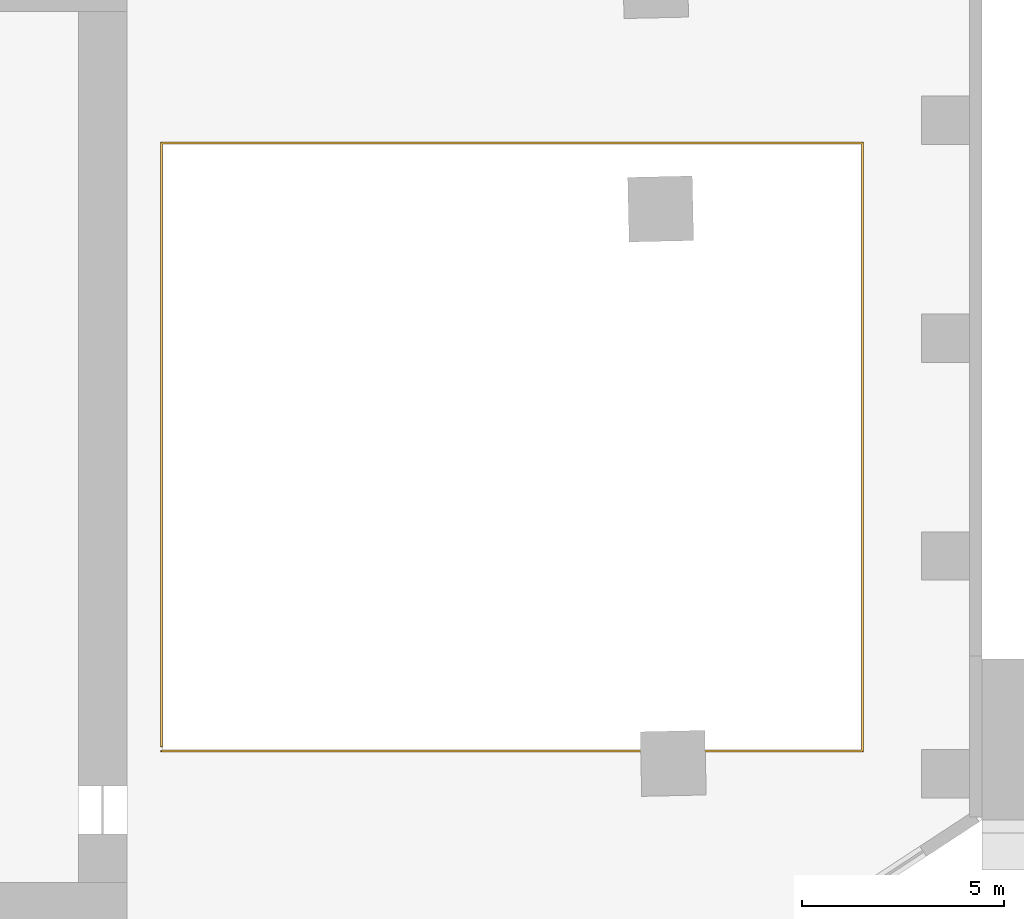
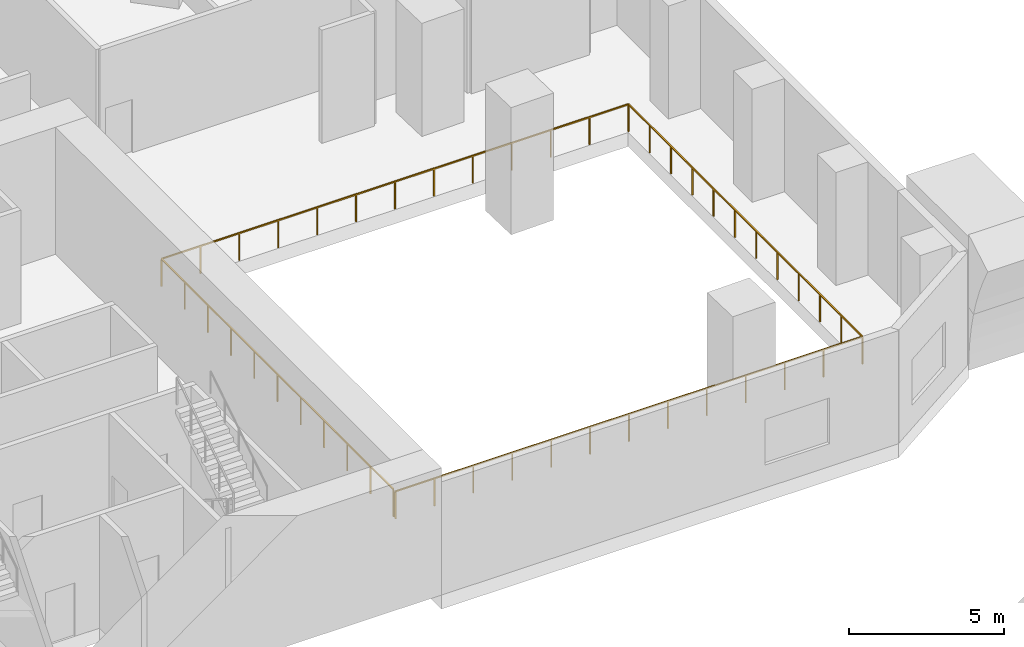
# One storey, part 12 of 12: 1 railing.
"""IFC4 building model written with IfcOpenShell, lengths in metres."""

from ifc_helpers import new_model, si_unit, direction, frame, origin, origin_2d, place, context, subcontext, project, spatial, rectangle, extrude, material, type_object, element, save


model = new_model("IFC4")

# Units and contexts
model_context = context("Model", 3, precision=1e-05, world=origin(), true_north=direction((0.0, 1.0)))
body_context = subcontext(model_context, "Body", "Model", "MODEL_VIEW")
ifc_project = project(units=[si_unit("LENGTHUNIT", "METRE"), si_unit("AREAUNIT", "SQUARE_METRE"), si_unit("VOLUMEUNIT", "CUBIC_METRE"), si_unit("PLANEANGLEUNIT", "RADIAN"), si_unit("MASSUNIT", "GRAM", prefix="KILO")], contexts=[model_context])

# Site, building, storey
site_placement = place(None, origin())
site = spatial("IfcSite", under=ifc_project, at=site_placement, CompositionType="ELEMENT")
building_placement = place(site_placement, origin())
building = spatial("IfcBuilding", under=site, at=building_placement, Name="Mangrove Gate Tower", CompositionType="ELEMENT")
storey_placement = place(building_placement, frame((0.0, 0.0, 11.0)))
storey = spatial("IfcBuildingStorey", under=building, at=storey_placement, Name="L02", CompositionType="ELEMENT", Elevation=11.0)

# Railing
ifc_material = material(Name="Stainless steel grade 316 with laminated glass infill", Category="steel")
railing_type = type_object("IfcRailingType", Name="Balcony guard 1100", PredefinedType="GUARDRAIL", material=ifc_material)
railing_placement = place(storey_placement, frame((15.860107421875, -7.5400390625, 0.0)))
element("IfcRailing", 1, at=railing_placement, inside=storey, type_object=railing_type, Name="GUARD L02 atrium", PredefinedType="GUARDRAIL", context=body_context, shape_type="SweptSolid", body=[
    extrude(rectangle(XDim=0.048095703125, YDim=0.048095703125, at=origin_2d()), frame((0.0, 0.0, 1.076171875), z_axis=(1.0, 0.0, 0.0), x_axis=(0.0, 1.0, 0.0)), (0.0, 0.0, 1.0), 17.3798828125),
    extrude(rectangle(XDim=0.048095703125, YDim=0.048095703125, at=origin_2d()), frame((17.3798828125, 0.0, 1.076171875), z_axis=(0.0, 1.0, 0.0), x_axis=(-1.0, 0.0, 0.0)), (0.0, 0.0, 1.0), 15.080078125),
    extrude(rectangle(XDim=0.048095703125, YDim=0.048095703125, at=origin_2d()), frame((17.3798828125, 15.080078125, 1.076171875), z_axis=(-1.0, 0.0, 0.0), x_axis=(0.0, -1.0, 0.0)), (0.0, 0.0, 1.0), 17.3798828125),
    extrude(rectangle(XDim=0.048095703125, YDim=0.048095703125, at=origin_2d()), frame((0.0, 15.080078125, 1.076171875), z_axis=(0.0, -1.0, 0.0), x_axis=(1.0, 0.0, 0.0)), (0.0, 0.0, 1.0), 14.9599609375),
    extrude(rectangle(XDim=0.0419921875, YDim=0.0419921875, at=origin_2d()), origin(), (0.0, 0.0, 1.0), 1.052001953125),
    extrude(rectangle(XDim=0.0419921875, YDim=0.0419921875, at=origin_2d()), frame((1.4482421875, 0.0, 0.0)), (0.0, 0.0, 1.0), 1.052001953125),
    extrude(rectangle(XDim=0.0419921875, YDim=0.0419921875, at=origin_2d()), frame((2.896728515625, 0.0, 0.0)), (0.0, 0.0, 1.0), 1.052001953125),
    extrude(rectangle(XDim=0.0419921875, YDim=0.0419921875, at=origin_2d()), frame((4.344970703125, 0.0, 0.0)), (0.0, 0.0, 1.0), 1.052001953125),
    extrude(rectangle(XDim=0.0419921875, YDim=0.0419921875, at=origin_2d()), frame((5.793212890625, 0.0, 0.0)), (0.0, 0.0, 1.0), 1.052001953125),
    extrude(rectangle(XDim=0.0419921875, YDim=0.0419921875, at=origin_2d()), frame((7.24169921875, 0.0, 0.0)), (0.0, 0.0, 1.0), 1.052001953125),
    extrude(rectangle(XDim=0.0419921875, YDim=0.0419921875, at=origin_2d()), frame((8.68994140625, 0.0, 0.0)), (0.0, 0.0, 1.0), 1.052001953125),
    extrude(rectangle(XDim=0.0419921875, YDim=0.0419921875, at=origin_2d()), frame((10.13818359375, 0.0, 0.0)), (0.0, 0.0, 1.0), 1.052001953125),
    extrude(rectangle(XDim=0.0419921875, YDim=0.0419921875, at=origin_2d()), frame((11.586669921875, 0.0, 0.0)), (0.0, 0.0, 1.0), 1.052001953125),
    extrude(rectangle(XDim=0.0419921875, YDim=0.0419921875, at=origin_2d()), frame((13.034912109375, 0.0, 0.0)), (0.0, 0.0, 1.0), 1.052001953125),
    extrude(rectangle(XDim=0.0419921875, YDim=0.0419921875, at=origin_2d()), frame((14.483154296875, 0.0, 0.0)), (0.0, 0.0, 1.0), 1.052001953125),
    extrude(rectangle(XDim=0.0419921875, YDim=0.0419921875, at=origin_2d()), frame((15.931640625, 0.0, 0.0)), (0.0, 0.0, 1.0), 1.052001953125),
    extrude(rectangle(XDim=0.0419921875, YDim=0.0419921875, at=origin_2d()), frame((17.3798828125, 0.0, 0.0)), (0.0, 0.0, 1.0), 1.052001953125),
    extrude(rectangle(XDim=0.0419921875, YDim=0.0419921875, at=origin_2d()), frame((17.3798828125, 1.370849609375, 0.0)), (0.0, 0.0, 1.0), 1.052001953125),
    extrude(rectangle(XDim=0.0419921875, YDim=0.0419921875, at=origin_2d()), frame((17.3798828125, 2.741943359375, 0.0)), (0.0, 0.0, 1.0), 1.052001953125),
    extrude(rectangle(XDim=0.0419921875, YDim=0.0419921875, at=origin_2d()), frame((17.3798828125, 4.11279296875, 0.0)), (0.0, 0.0, 1.0), 1.052001953125),
    extrude(rectangle(XDim=0.0419921875, YDim=0.0419921875, at=origin_2d()), frame((17.3798828125, 5.483642578125, 0.0)), (0.0, 0.0, 1.0), 1.052001953125),
    extrude(rectangle(XDim=0.0419921875, YDim=0.0419921875, at=origin_2d()), frame((17.3798828125, 6.8544921875, 0.0)), (0.0, 0.0, 1.0), 1.052001953125),
    extrude(rectangle(XDim=0.0419921875, YDim=0.0419921875, at=origin_2d()), frame((17.3798828125, 8.2255859375, 0.0)), (0.0, 0.0, 1.0), 1.052001953125),
    extrude(rectangle(XDim=0.0419921875, YDim=0.0419921875, at=origin_2d()), frame((17.3798828125, 9.596435546875, 0.0)), (0.0, 0.0, 1.0), 1.052001953125),
    extrude(rectangle(XDim=0.0419921875, YDim=0.0419921875, at=origin_2d()), frame((17.3798828125, 10.96728515625, 0.0)), (0.0, 0.0, 1.0), 1.052001953125),
    extrude(rectangle(XDim=0.0419921875, YDim=0.0419921875, at=origin_2d()), frame((17.3798828125, 12.338134765625, 0.0)), (0.0, 0.0, 1.0), 1.052001953125),
    extrude(rectangle(XDim=0.0419921875, YDim=0.0419921875, at=origin_2d()), frame((17.3798828125, 13.709228515625, 0.0)), (0.0, 0.0, 1.0), 1.052001953125),
    extrude(rectangle(XDim=0.0419921875, YDim=0.0419921875, at=origin_2d()), frame((17.3798828125, 15.080078125, 0.0)), (0.0, 0.0, 1.0), 1.052001953125),
    extrude(rectangle(XDim=0.0419921875, YDim=0.0419921875, at=origin_2d()), frame((15.931640625, 15.080078125, 0.0)), (0.0, 0.0, 1.0), 1.052001953125),
    extrude(rectangle(XDim=0.0419921875, YDim=0.0419921875, at=origin_2d()), frame((14.483154296875, 15.080078125, 0.0)), (0.0, 0.0, 1.0), 1.052001953125),
    extrude(rectangle(XDim=0.0419921875, YDim=0.0419921875, at=origin_2d()), frame((13.034912109375, 15.080078125, 0.0)), (0.0, 0.0, 1.0), 1.052001953125),
    extrude(rectangle(XDim=0.0419921875, YDim=0.0419921875, at=origin_2d()), frame((11.586669921875, 15.080078125, 0.0)), (0.0, 0.0, 1.0), 1.052001953125),
    extrude(rectangle(XDim=0.0419921875, YDim=0.0419921875, at=origin_2d()), frame((10.13818359375, 15.080078125, 0.0)), (0.0, 0.0, 1.0), 1.052001953125),
    extrude(rectangle(XDim=0.0419921875, YDim=0.0419921875, at=origin_2d()), frame((8.68994140625, 15.080078125, 0.0)), (0.0, 0.0, 1.0), 1.052001953125),
    extrude(rectangle(XDim=0.0419921875, YDim=0.0419921875, at=origin_2d()), frame((7.24169921875, 15.080078125, 0.0)), (0.0, 0.0, 1.0), 1.052001953125),
    extrude(rectangle(XDim=0.0419921875, YDim=0.0419921875, at=origin_2d()), frame((5.793212890625, 15.080078125, 0.0)), (0.0, 0.0, 1.0), 1.052001953125),
    extrude(rectangle(XDim=0.0419921875, YDim=0.0419921875, at=origin_2d()), frame((4.344970703125, 15.080078125, 0.0)), (0.0, 0.0, 1.0), 1.052001953125),
    extrude(rectangle(XDim=0.0419921875, YDim=0.0419921875, at=origin_2d()), frame((2.896728515625, 15.080078125, 0.0)), (0.0, 0.0, 1.0), 1.052001953125),
    extrude(rectangle(XDim=0.0419921875, YDim=0.0419921875, at=origin_2d()), frame((1.4482421875, 15.080078125, 0.0)), (0.0, 0.0, 1.0), 1.052001953125),
    extrude(rectangle(XDim=0.0419921875, YDim=0.0419921875, at=origin_2d()), frame((0.0, 15.080078125, 0.0)), (0.0, 0.0, 1.0), 1.052001953125),
    extrude(rectangle(XDim=0.0419921875, YDim=0.0419921875, at=origin_2d()), frame((0.0, 13.583984375, 0.0)), (0.0, 0.0, 1.0), 1.052001953125),
    extrude(rectangle(XDim=0.0419921875, YDim=0.0419921875, at=origin_2d()), frame((0.0, 12.088134765625, 0.0)), (0.0, 0.0, 1.0), 1.052001953125),
    extrude(rectangle(XDim=0.0419921875, YDim=0.0419921875, at=origin_2d()), frame((0.0, 10.592041015625, 0.0)), (0.0, 0.0, 1.0), 1.052001953125),
    extrude(rectangle(XDim=0.0419921875, YDim=0.0419921875, at=origin_2d()), frame((0.0, 9.09619140625, 0.0)), (0.0, 0.0, 1.0), 1.052001953125),
    extrude(rectangle(XDim=0.0419921875, YDim=0.0419921875, at=origin_2d()), frame((0.0, 7.60009765625, 0.0)), (0.0, 0.0, 1.0), 1.052001953125),
    extrude(rectangle(XDim=0.0419921875, YDim=0.0419921875, at=origin_2d()), frame((0.0, 6.10400390625, 0.0)), (0.0, 0.0, 1.0), 1.052001953125),
    extrude(rectangle(XDim=0.0419921875, YDim=0.0419921875, at=origin_2d()), frame((0.0, 4.608154296875, 0.0)), (0.0, 0.0, 1.0), 1.052001953125),
    extrude(rectangle(XDim=0.0419921875, YDim=0.0419921875, at=origin_2d()), frame((0.0, 3.112060546875, 0.0)), (0.0, 0.0, 1.0), 1.052001953125),
    extrude(rectangle(XDim=0.0419921875, YDim=0.0419921875, at=origin_2d()), frame((0.0, 1.6162109375, 0.0)), (0.0, 0.0, 1.0), 1.052001953125),
    extrude(rectangle(XDim=0.0419921875, YDim=0.0419921875, at=origin_2d()), frame((0.0, 0.1201171875, 0.0)), (0.0, 0.0, 1.0), 1.052001953125),
])

save(model, "model.ifc")
